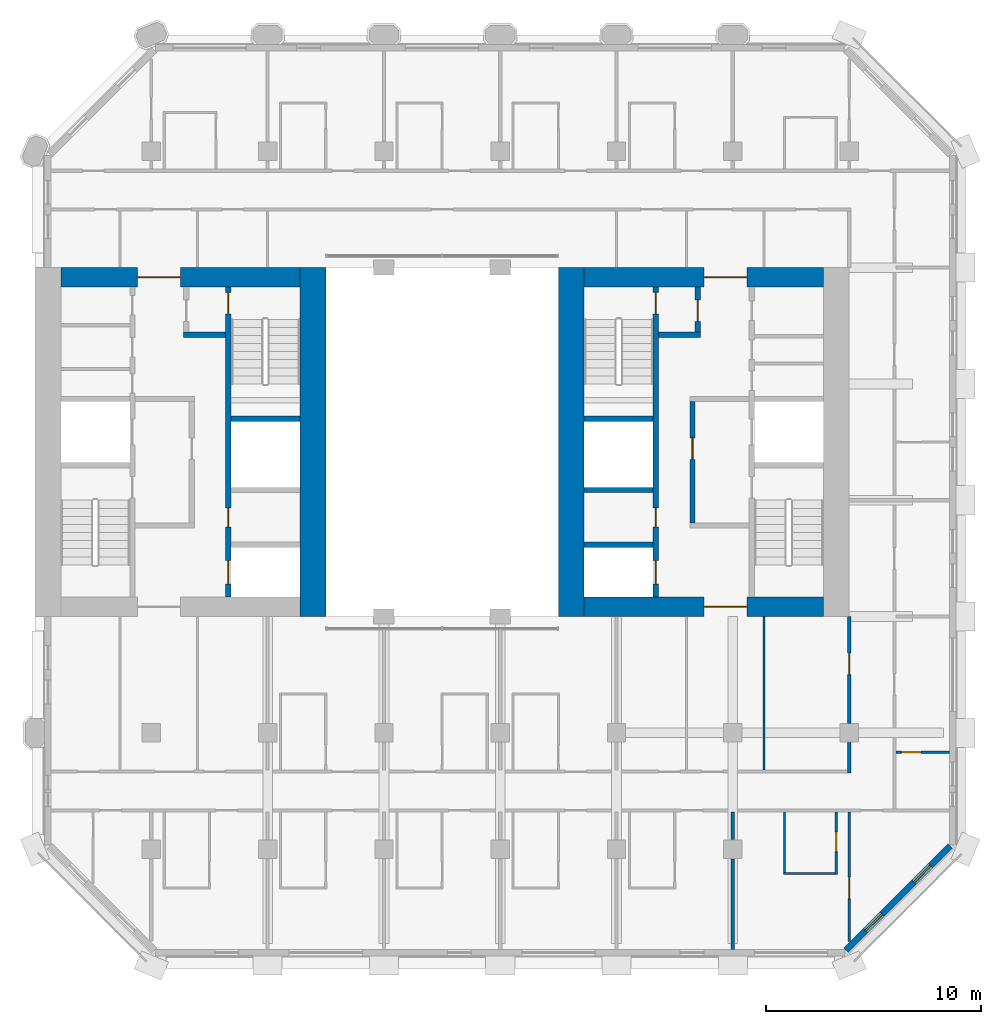
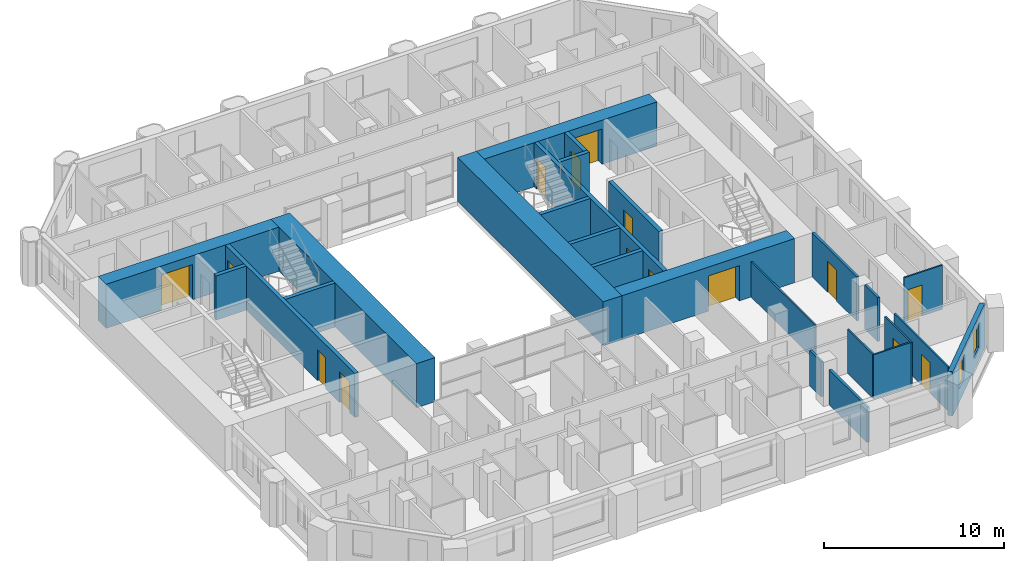
# One storey, part 10 of 16: 26 walls, 15 doors, 2 windows, 17 openings.
"""IFC4 building model written with IfcOpenShell, lengths in metres."""

from ifc_helpers import new_model, si_unit, direction, frame, frame_2d, origin, place, context, subcontext, project, spatial, rectangle, extrude, material, layer, layer_set, type_object, element, fill, save


model = new_model("IFC4")

# Units and contexts
model_context = context("Model", 3, precision=1e-05, world=origin(), true_north=direction((0.0, 1.0)))
body_context = subcontext(model_context, "Body", "Model", "MODEL_VIEW")
ifc_project = project(units=[si_unit("LENGTHUNIT", "METRE"), si_unit("AREAUNIT", "SQUARE_METRE"), si_unit("VOLUMEUNIT", "CUBIC_METRE"), si_unit("PLANEANGLEUNIT", "RADIAN"), si_unit("MASSUNIT", "GRAM", prefix="KILO")], contexts=[model_context])

# Site, building, storey
site_placement = place(None, origin())
site = spatial("IfcSite", under=ifc_project, at=site_placement, CompositionType="ELEMENT")
building_placement = place(site_placement, origin())
building = spatial("IfcBuilding", under=site, at=building_placement, Name="Tabaq Tower and Sports Hall", CompositionType="ELEMENT")
storey_placement = place(building_placement, frame((0.0, 0.0, 156.10009765625)))
storey = spatial("IfcBuildingStorey", under=building, at=storey_placement, Name="L36", CompositionType="ELEMENT", Elevation=156.10009765625)

# Walls
ifc_material_1 = material(Name="Concrete C50/60", Category="concrete")
ifc_layer_1 = layer(ifc_material_1, 1.199951171875)
ifc_layer_set_1 = layer_set([ifc_layer_1], Name="Core wall 1200 Concrete C50/60")
wall_type_1 = type_object("IfcWallType", Name="Core wall 1200 Concrete C50/60", PredefinedType="SOLIDWALL", material=ifc_layer_set_1)
for number, where, z_axis, x_axis, name in (
    (1, (18.300048828125, 32.39990234375, 0.0), (0.0, 0.0, 1.0), (0.0, -1.0, 0.0), "Core wall W L36"),
    (2, (30.300048828125, 16.199951171875, 0.0), (0.0, 0.0, 1.0), (0.0, 1.0, 0.0), "Core wall E L36"),
):
    element("IfcWall", number, at=place(storey_placement, frame(where, z_axis=z_axis, x_axis=x_axis)), inside=storey, type_object=wall_type_1, Name=name, PredefinedType="SOLIDWALL", context=body_context, shape_type="SweptSolid", body=[
        extrude(rectangle(XDim=16.199951171875, YDim=1.199951171875, at=frame_2d((8.10009765625, 0.0))), origin(), (0.0, 0.0, 1.0), 3.0),
    ])

# Wall, opening, door
ifc_material_2 = material(Name="Concrete C50/60", Category="concrete")
ifc_layer_2 = layer(ifc_material_2, 0.89990234375)
ifc_layer_set_2 = layer_set([ifc_layer_2], Name="Core wall 900 Concrete C50/60")
wall_type_2 = type_object("IfcWallType", Name="Core wall 900 Concrete C50/60", PredefinedType="SOLIDWALL", material=ifc_layer_set_2)
wall_1_placement = place(storey_placement, frame((6.60009765625, 31.949951171875, 0.0), z_axis=(0.0, 0.0, 1.0), x_axis=(1.0, 0.0, 0.0)))
wall_1 = element("IfcWall", 3, at=wall_1_placement, inside=storey, type_object=wall_type_2, Name="Core wall W L36", PredefinedType="SOLIDWALL", context=body_context, shape_type="SweptSolid", body=[
    extrude(rectangle(XDim=11.099853515625, YDim=0.89990234375, at=frame_2d((5.5498046875, 0.0))), origin(), (0.0, 0.0, 1.0), 3.0),
])
opening_1_placement = place(wall_1_placement, frame((3.550048828125, 0.0, 0.0)))
opening_1 = element("IfcOpeningElement", 4, at=opening_1_placement, cuts=wall_1, Name="Opening PD-WL36-02", PredefinedType="OPENING", context=body_context, shape_type="SweptSolid", body=[
    extrude(rectangle(XDim=2.0, YDim=2.39990234375, at=frame_2d((1.0, 1.199951171875))), frame((0.0, 0.449951171875, 0.0), z_axis=(0.0, -1.0, 0.0), x_axis=(1.0, 0.0, 0.0)), (0.0, 0.0, 1.0), 0.89990234375),
])
ifc_material_3 = material(Name="Steel fire door", Category="steel")
door_type_1 = type_object("IfcDoorType", Name="Core entrance door 2000", OperationType="DOUBLE_DOOR_SINGLE_SWING", PredefinedType="DOOR", material=ifc_material_3)
door_1_placement = place(opening_1_placement, origin())
door_1 = element("IfcDoor", 5, at=door_1_placement, inside=storey, type_object=door_type_1, Name="Core entrance north W L36", OperationType="DOUBLE_DOOR_SINGLE_SWING", OverallHeight=2.39990234375, OverallWidth=2.0, PredefinedType="DOOR", context=body_context, shape_type="SweptSolid", body=[
    extrude(rectangle(XDim=2.0, YDim=2.39990234375, at=frame_2d((1.0, 1.199951171875))), frame((0.0, 0.02490234375, 0.0), z_axis=(0.0, -1.0, 0.0), x_axis=(1.0, 0.0, 0.0)), (0.0, 0.0, 1.0), 0.050048828125),
])
fill(opening_1, door_1)

wall_2_placement = place(storey_placement, frame((42.0, 16.64990234375, 0.0), z_axis=(0.0, 0.0, 1.0), x_axis=(-1.0, 0.0, 0.0)))
wall_2 = element("IfcWall", 6, at=wall_2_placement, inside=storey, type_object=wall_type_2, Name="Core wall E L36", PredefinedType="SOLIDWALL", context=body_context, shape_type="SweptSolid", body=[
    extrude(rectangle(XDim=11.10009765625, YDim=0.89990234375, at=frame_2d((5.550048828125, 0.0))), origin(), (0.0, 0.0, 1.0), 3.0),
])
opening_2_placement = place(wall_2_placement, frame((3.550048828125, 0.0, 0.0)))
opening_2 = element("IfcOpeningElement", 7, at=opening_2_placement, cuts=wall_2, Name="Opening PD-EL36-01", PredefinedType="OPENING", context=body_context, shape_type="SweptSolid", body=[
    extrude(rectangle(XDim=2.0, YDim=2.39990234375, at=frame_2d((1.0, 1.199951171875))), frame((0.0, 0.449951171875, 0.0), z_axis=(0.0, -1.0, 0.0), x_axis=(1.0, 0.0, 0.0)), (0.0, 0.0, 1.0), 0.89990234375),
])
door_2_placement = place(opening_2_placement, origin())
door_2 = element("IfcDoor", 8, at=door_2_placement, inside=storey, type_object=door_type_1, Name="Core entrance south E L36", OperationType="DOUBLE_DOOR_SINGLE_SWING", OverallHeight=2.39990234375, OverallWidth=2.0, PredefinedType="DOOR", context=body_context, shape_type="SweptSolid", body=[
    extrude(rectangle(XDim=2.0, YDim=2.39990234375, at=frame_2d((1.0, 1.199951171875))), frame((0.0, 0.02490234375, 0.0), z_axis=(0.0, -1.0, 0.0), x_axis=(1.0, 0.0, 0.0)), (0.0, 0.0, 1.0), 0.050048828125),
])
fill(opening_2, door_2)

wall_3_placement = place(storey_placement, frame((30.89990234375, 31.949951171875, 0.0), z_axis=(0.0, 0.0, 1.0), x_axis=(1.0, 0.0, 0.0)))
wall_3 = element("IfcWall", 9, at=wall_3_placement, inside=storey, type_object=wall_type_2, Name="Core wall E L36", PredefinedType="SOLIDWALL", context=body_context, shape_type="SweptSolid", body=[
    extrude(rectangle(XDim=11.10009765625, YDim=0.89990234375, at=frame_2d((5.550048828125, 0.0))), origin(), (0.0, 0.0, 1.0), 3.0),
])
opening_3_placement = place(wall_3_placement, frame((5.550048828125, 0.0, 0.0)))
opening_3 = element("IfcOpeningElement", 10, at=opening_3_placement, cuts=wall_3, Name="Opening PD-EL36-02", PredefinedType="OPENING", context=body_context, shape_type="SweptSolid", body=[
    extrude(rectangle(XDim=2.0, YDim=2.39990234375, at=frame_2d((1.0, 1.199951171875))), frame((0.0, 0.449951171875, 0.0), z_axis=(0.0, -1.0, 0.0), x_axis=(1.0, 0.0, 0.0)), (0.0, 0.0, 1.0), 0.89990234375),
])
door_3_placement = place(opening_3_placement, origin())
door_3 = element("IfcDoor", 11, at=door_3_placement, inside=storey, type_object=door_type_1, Name="Core entrance north E L36", OperationType="DOUBLE_DOOR_SINGLE_SWING", OverallHeight=2.39990234375, OverallWidth=2.0, PredefinedType="DOOR", context=body_context, shape_type="SweptSolid", body=[
    extrude(rectangle(XDim=2.0, YDim=2.39990234375, at=frame_2d((1.0, 1.199951171875))), frame((0.0, 0.02490234375, 0.0), z_axis=(0.0, -1.0, 0.0), x_axis=(1.0, 0.0, 0.0)), (0.0, 0.0, 1.0), 0.050048828125),
])
fill(opening_3, door_3)

ifc_material_4 = material(Name="Gypsum board on steel studs", Category="steel")
ifc_layer_3 = layer(ifc_material_4, 0.10009765625)
ifc_layer_set_3 = layer_set([ifc_layer_3], Name="Partition 100 Gypsum board")
wall_type_3 = type_object("IfcWallType", Name="Partition 100 Gypsum board", PredefinedType="PARTITIONING", material=ifc_layer_set_3)
wall_4_placement = place(storey_placement, frame((45.375, 9.89990234375, 0.0), z_axis=(0.0, 0.0, 1.0), x_axis=(1.0, 0.0, 0.0)))
wall_4 = element("IfcWall", 12, at=wall_4_placement, inside=storey, type_object=wall_type_3, Name="Partition wall L36", PredefinedType="PARTITIONING", context=body_context, shape_type="SweptSolid", body=[
    extrude(rectangle(XDim=2.47412109375, YDim=0.10009765625, at=frame_2d((1.237060546875, 0.0))), origin(), (0.0, 0.0, 1.0), 3.0),
])
opening_4_placement = place(wall_4_placement, frame((0.25, 0.0, 0.0)))
opening_4 = element("IfcOpeningElement", 13, at=opening_4_placement, cuts=wall_4, Name="Opening L36-017", PredefinedType="OPENING", context=body_context, shape_type="SweptSolid", body=[
    extrude(rectangle(XDim=0.89990234375, YDim=2.10009765625, at=frame_2d((0.449951171875, 1.050048828125))), frame((0.0, 0.050048828125, 0.0), z_axis=(0.0, -1.0, 0.0), x_axis=(1.0, 0.0, 0.0)), (0.0, 0.0, 1.0), 0.10009765625),
])
ifc_material_5 = material(Name="Timber leaf in steel frame", Category="steel")
door_type_2 = type_object("IfcDoorType", Name="Internal door 900 left hand", OperationType="SINGLE_SWING_LEFT", PredefinedType="DOOR", material=ifc_material_5)
door_4_placement = place(opening_4_placement, origin())
door_4 = element("IfcDoor", 14, at=door_4_placement, inside=storey, type_object=door_type_2, Name="Internal door L36-017", OperationType="SINGLE_SWING_LEFT", OverallHeight=2.10009765625, OverallWidth=0.89990234375, PredefinedType="DOOR", context=body_context, shape_type="SweptSolid", body=[
    extrude(rectangle(XDim=0.89990234375, YDim=2.10009765625, at=frame_2d((0.449951171875, 1.050048828125))), frame((0.0, 0.02490234375, 0.0), z_axis=(0.0, -1.0, 0.0), x_axis=(1.0, 0.0, 0.0)), (0.0, 0.0, 1.0), 0.050048828125),
])
fill(opening_4, door_4)

wall_5_placement = place(storey_placement, frame((43.199951171875, 1.112060546875, 0.0), z_axis=(0.0, 0.0, 1.0), x_axis=(0.0, 1.0, 0.0)))
wall_5 = element("IfcWall", 15, at=wall_5_placement, inside=storey, type_object=wall_type_3, Name="Partition wall L36", PredefinedType="PARTITIONING", context=body_context, shape_type="SweptSolid", body=[
    extrude(rectangle(XDim=6.012939453125, YDim=0.10009765625, at=frame_2d((3.00634765625, 0.0))), origin(), (0.0, 0.0, 1.0), 3.0),
])
opening_5_placement = place(wall_5_placement, frame((1.98779296875, 0.0, 0.0)))
opening_5 = element("IfcOpeningElement", 16, at=opening_5_placement, cuts=wall_5, Name="Opening L36-051", PredefinedType="OPENING", context=body_context, shape_type="SweptSolid", body=[
    extrude(rectangle(XDim=1.0, YDim=2.10009765625, at=frame_2d((0.5, 1.050048828125))), frame((0.0, 0.050048828125, 0.0), z_axis=(0.0, -1.0, 0.0), x_axis=(1.0, 0.0, 0.0)), (0.0, 0.0, 1.0), 0.10009765625),
])
ifc_material_6 = material(Name="Timber leaf in steel frame", Category="steel")
door_type_3 = type_object("IfcDoorType", Name="Internal door 1000 left hand", OperationType="SINGLE_SWING_LEFT", PredefinedType="DOOR", material=ifc_material_6)
door_5_placement = place(opening_5_placement, origin())
door_5 = element("IfcDoor", 17, at=door_5_placement, inside=storey, type_object=door_type_3, Name="Internal door L36-051", OperationType="SINGLE_SWING_LEFT", OverallHeight=2.10009765625, OverallWidth=1.0, PredefinedType="DOOR", context=body_context, shape_type="SweptSolid", body=[
    extrude(rectangle(XDim=1.0, YDim=2.10009765625, at=frame_2d((0.5, 1.050048828125))), frame((0.0, 0.02490234375, 0.0), z_axis=(0.0, -1.0, 0.0), x_axis=(1.0, 0.0, 0.0)), (0.0, 0.0, 1.0), 0.050048828125),
])
fill(opening_5, door_5)

wall_6_placement = place(storey_placement, frame((42.60009765625, 7.125, 0.0), z_axis=(0.0, 0.0, 1.0), x_axis=(0.0, -1.0, 0.0)))
wall_6 = element("IfcWall", 18, at=wall_6_placement, inside=storey, type_object=wall_type_3, Name="Partition wall L36", PredefinedType="PARTITIONING", context=body_context, shape_type="SweptSolid", body=[
    extrude(rectangle(XDim=2.89990234375, YDim=0.10009765625, at=frame_2d((1.449951171875, 0.0))), origin(), (0.0, 0.0, 1.0), 3.0),
])
opening_6_placement = place(wall_6_placement, frame((0.93701171875, 0.0, 0.0)))
opening_6 = element("IfcOpeningElement", 19, at=opening_6_placement, cuts=wall_6, Name="Opening L36-024", PredefinedType="OPENING", context=body_context, shape_type="SweptSolid", body=[
    extrude(rectangle(XDim=0.89990234375, YDim=2.10009765625, at=frame_2d((0.449951171875, 1.050048828125))), frame((0.0, 0.050048828125, 0.0), z_axis=(0.0, -1.0, 0.0), x_axis=(1.0, 0.0, 0.0)), (0.0, 0.0, 1.0), 0.10009765625),
])
door_6_placement = place(opening_6_placement, origin())
door_6 = element("IfcDoor", 20, at=door_6_placement, inside=storey, type_object=door_type_2, Name="Internal door L36-024", OperationType="SINGLE_SWING_LEFT", OverallHeight=2.10009765625, OverallWidth=0.89990234375, PredefinedType="DOOR", context=body_context, shape_type="SweptSolid", body=[
    extrude(rectangle(XDim=0.89990234375, YDim=2.10009765625, at=frame_2d((0.449951171875, 1.050048828125))), frame((0.0, 0.02490234375, 0.0), z_axis=(0.0, -1.0, 0.0), x_axis=(1.0, 0.0, 0.0)), (0.0, 0.0, 1.0), 0.050048828125),
])
fill(opening_6, door_6)

# Walls
wall_7_placement = place(storey_placement, frame((42.550048828125, 4.27490234375, 0.0), z_axis=(0.0, 0.0, 1.0), x_axis=(-1.0, 0.0, 0.0)))
element("IfcWall", 21, at=wall_7_placement, inside=storey, type_object=wall_type_3, Name="Partition wall L36", PredefinedType="PARTITIONING", context=body_context, shape_type="SweptSolid", body=[
    extrude(rectangle(XDim=2.400146484375, YDim=0.10009765625, at=frame_2d((1.2001953125, 0.0))), origin(), (0.0, 0.0, 1.0), 3.0),
])
wall_8_placement = place(storey_placement, frame((40.199951171875, 4.324951171875, 0.0), z_axis=(0.0, 0.0, 1.0), x_axis=(0.0, 1.0, 0.0)))
element("IfcWall", 22, at=wall_8_placement, inside=storey, type_object=wall_type_3, Name="Partition wall L36", PredefinedType="PARTITIONING", context=body_context, shape_type="SweptSolid", body=[
    extrude(rectangle(XDim=2.800048828125, YDim=0.10009765625, at=frame_2d((1.39990234375, 0.0))), origin(), (0.0, 0.0, 1.0), 3.0),
])
wall_9_placement = place(storey_placement, frame((39.25, 9.074951171875, 0.0), z_axis=(0.0, 0.0, 1.0), x_axis=(0.0, 1.0, 0.0)))
element("IfcWall", 23, at=wall_9_placement, inside=storey, type_object=wall_type_3, Name="Partition wall L36", PredefinedType="PARTITIONING", context=body_context, shape_type="SweptSolid", body=[
    extrude(rectangle(XDim=7.125, YDim=0.10009765625, at=frame_2d((3.5625, 0.0))), origin(), (0.0, 0.0, 1.0), 2.39990234375),
])
ifc_material_7 = material(Name="Blockwork", Category="masonry")
ifc_layer_4 = layer(ifc_material_7, 0.14990234375)
ifc_layer_set_4 = layer_set([ifc_layer_4], Name="Separating wall 150 Blockwork")
wall_type_4 = type_object("IfcWallType", Name="Separating wall 150 Blockwork", PredefinedType="PARTITIONING", material=ifc_layer_set_4)
wall_10_placement = place(storey_placement, frame((37.800048828125, 0.7509765625, 0.0), z_axis=(0.0, 0.0, 1.0), x_axis=(0.0, 1.0, 0.0)))
element("IfcWall", 24, at=wall_10_placement, inside=storey, type_object=wall_type_4, Name="Separating wall L36", PredefinedType="PARTITIONING", context=body_context, shape_type="SweptSolid", body=[
    extrude(rectangle(XDim=4.2041015625, YDim=0.14990234375, at=frame_2d((2.10205078125, 0.0))), origin(), (0.0, 0.0, 1.0), 2.39990234375),
])
wall_11_placement = place(storey_placement, frame((37.800048828125, 5.844970703125, 0.0), z_axis=(0.0, 0.0, 1.0), x_axis=(0.0, 1.0, 0.0)))
element("IfcWall", 25, at=wall_11_placement, inside=storey, type_object=wall_type_4, Name="Separating wall L36", PredefinedType="PARTITIONING", context=body_context, shape_type="SweptSolid", body=[
    extrude(rectangle(XDim=1.280029296875, YDim=0.14990234375, at=frame_2d((0.64013671875, 0.0))), origin(), (0.0, 0.0, 1.0), 2.39990234375),
])

# Wall, opening, door
wall_12_placement = place(storey_placement, frame((43.199951171875, 16.199951171875, 0.0), z_axis=(0.0, 0.0, 1.0), x_axis=(0.0, -1.0, 0.0)))
wall_12 = element("IfcWall", 26, at=wall_12_placement, inside=storey, type_object=wall_type_4, Name="Separating wall L36", PredefinedType="PARTITIONING", context=body_context, shape_type="SweptSolid", body=[
    extrude(rectangle(XDim=4.954833984375, YDim=0.14990234375, at=frame_2d((2.4775390625, 0.0))), origin(), (0.0, 0.0, 1.0), 3.0),
])
opening_7_placement = place(wall_12_placement, frame((1.699951171875, 0.0, 0.0)))
opening_7 = element("IfcOpeningElement", 27, at=opening_7_placement, cuts=wall_12, Name="Opening L36-028", PredefinedType="OPENING", context=body_context, shape_type="SweptSolid", body=[
    extrude(rectangle(XDim=1.0, YDim=2.10009765625, at=frame_2d((0.5, 1.050048828125))), frame((0.0, 0.074951171875, 0.0), z_axis=(0.0, -1.0, 0.0), x_axis=(1.0, 0.0, 0.0)), (0.0, 0.0, 1.0), 0.14990234375),
])
door_7_placement = place(opening_7_placement, origin())
door_7 = element("IfcDoor", 28, at=door_7_placement, inside=storey, type_object=door_type_3, Name="Internal door L36-028", OperationType="SINGLE_SWING_LEFT", OverallHeight=2.10009765625, OverallWidth=1.0, PredefinedType="DOOR", context=body_context, shape_type="SweptSolid", body=[
    extrude(rectangle(XDim=1.0, YDim=2.10009765625, at=frame_2d((0.5, 1.050048828125))), frame((0.0, 0.02490234375, 0.0), z_axis=(0.0, -1.0, 0.0), x_axis=(1.0, 0.0, 0.0)), (0.0, 0.0, 1.0), 0.050048828125),
])
fill(opening_7, door_7)

# Wall
wall_13_placement = place(storey_placement, frame((43.199951171875, 10.35498046875, 0.0), z_axis=(0.0, 0.0, 1.0), x_axis=(0.0, -1.0, 0.0)))
element("IfcWall", 29, at=wall_13_placement, inside=storey, type_object=wall_type_4, Name="Separating wall L36", PredefinedType="PARTITIONING", context=body_context, shape_type="SweptSolid", body=[
    extrude(rectangle(XDim=1.429931640625, YDim=0.14990234375, at=frame_2d((0.71484375, 0.0))), origin(), (0.0, 0.0, 1.0), 3.0),
])

# Wall, openings, doors
ifc_material_8 = material(Name="Concrete C40/50", Category="concrete")
ifc_layer_5 = layer(ifc_material_8, 0.25)
ifc_layer_set_5 = layer_set([ifc_layer_5], Name="Shaft and stair wall 250 Concrete C40/50")
wall_type_5 = type_object("IfcWallType", Name="Shaft and stair wall 250 Concrete C40/50", PredefinedType="SOLIDWALL", material=ifc_layer_set_5)
wall_14_placement = place(storey_placement, frame((14.375, 17.10009765625, 0.0), z_axis=(0.0, 0.0, 1.0), x_axis=(0.0, 1.0, 0.0)))
wall_14 = element("IfcWall", 30, at=wall_14_placement, inside=storey, type_object=wall_type_5, Name="Shaft wall W L36", PredefinedType="SOLIDWALL", context=body_context, shape_type="SweptSolid", body=[
    extrude(rectangle(XDim=14.39990234375, YDim=0.25, at=frame_2d((7.199951171875, 0.0))), origin(), (0.0, 0.0, 1.0), 3.0),
])
opening_8_placement = place(wall_14_placement, frame((13.14990234375, 0.0, 0.0)))
opening_8 = element("IfcOpeningElement", 31, at=opening_8_placement, cuts=wall_14, Name="Opening SD-WL36-05", PredefinedType="OPENING", context=body_context, shape_type="SweptSolid", body=[
    extrude(rectangle(XDim=1.0, YDim=2.10009765625, at=frame_2d((0.5, 1.050048828125))), frame((0.0, 0.125, 0.0), z_axis=(0.0, -1.0, 0.0), x_axis=(1.0, 0.0, 0.0)), (0.0, 0.0, 1.0), 0.25),
])
opening_9_placement = place(wall_14_placement, frame((0.60009765625, 0.0, 0.0)))
opening_9 = element("IfcOpeningElement", 32, at=opening_9_placement, cuts=wall_14, Name="Opening LD-MR1-L36", PredefinedType="OPENING", context=body_context, shape_type="SweptSolid", body=[
    extrude(rectangle(XDim=1.10009765625, YDim=2.10009765625, at=frame_2d((0.550048828125, 1.050048828125))), frame((0.0, 0.125, 0.0), z_axis=(0.0, -1.0, 0.0), x_axis=(1.0, 0.0, 0.0)), (0.0, 0.0, 1.0), 0.25),
])
opening_10_placement = place(wall_14_placement, frame((3.25, 0.0, 0.0)))
opening_10 = element("IfcOpeningElement", 33, at=opening_10_placement, cuts=wall_14, Name="Opening RD-WL36-12", PredefinedType="OPENING", context=body_context, shape_type="SweptSolid", body=[
    extrude(rectangle(XDim=0.89990234375, YDim=2.10009765625, at=frame_2d((0.449951171875, 1.050048828125))), frame((0.0, 0.125, 0.0), z_axis=(0.0, -1.0, 0.0), x_axis=(1.0, 0.0, 0.0)), (0.0, 0.0, 1.0), 0.25),
])
ifc_material_9 = material(Name="Steel fire door", Category="steel")
door_type_4 = type_object("IfcDoorType", Name="Core room door 900", OperationType="SINGLE_SWING_LEFT", PredefinedType="DOOR", material=ifc_material_9)
door_8_placement = place(opening_10_placement, origin())
door_8 = element("IfcDoor", 34, at=door_8_placement, inside=storey, type_object=door_type_4, Name="Door Cleaner's Store W L36", OperationType="SINGLE_SWING_LEFT", OverallHeight=2.10009765625, OverallWidth=0.89990234375, PredefinedType="DOOR", context=body_context, shape_type="SweptSolid", body=[
    extrude(rectangle(XDim=0.89990234375, YDim=2.10009765625, at=frame_2d((0.449951171875, 1.050048828125))), frame((0.0, 0.02490234375, 0.0), z_axis=(0.0, -1.0, 0.0), x_axis=(1.0, 0.0, 0.0)), (0.0, 0.0, 1.0), 0.050048828125),
])
fill(opening_10, door_8)
ifc_material_10 = material(Name="Stainless steel", Category="steel")
door_type_5 = type_object("IfcDoorType", Name="Lift landing door 1100", OperationType="DOUBLE_DOOR_SLIDING", PredefinedType="DOOR", material=ifc_material_10)
door_9_placement = place(opening_9_placement, origin())
door_9 = element("IfcDoor", 35, at=door_9_placement, inside=storey, type_object=door_type_5, Name="Lift landing door MR1 W L36", OperationType="DOUBLE_DOOR_SLIDING", OverallHeight=2.10009765625, OverallWidth=1.10009765625, PredefinedType="DOOR", context=body_context, shape_type="SweptSolid", body=[
    extrude(rectangle(XDim=1.10009765625, YDim=2.10009765625, at=frame_2d((0.550048828125, 1.050048828125))), frame((0.0, 0.02490234375, 0.0), z_axis=(0.0, -1.0, 0.0), x_axis=(1.0, 0.0, 0.0)), (0.0, 0.0, 1.0), 0.050048828125),
])
fill(opening_9, door_9)
ifc_material_11 = material(Name="Steel fire door", Category="steel")
door_type_6 = type_object("IfcDoorType", Name="Stair door 1000", OperationType="SINGLE_SWING_LEFT", PredefinedType="DOOR", material=ifc_material_11)
door_10_placement = place(opening_8_placement, origin())
door_10 = element("IfcDoor", 36, at=door_10_placement, inside=storey, type_object=door_type_6, Name="Stair door ST2 W L36", OperationType="SINGLE_SWING_LEFT", OverallHeight=2.10009765625, OverallWidth=1.0, PredefinedType="DOOR", context=body_context, shape_type="SweptSolid", body=[
    extrude(rectangle(XDim=1.0, YDim=2.10009765625, at=frame_2d((0.5, 1.050048828125))), frame((0.0, 0.02490234375, 0.0), z_axis=(0.0, -1.0, 0.0), x_axis=(1.0, 0.0, 0.0)), (0.0, 0.0, 1.0), 0.050048828125),
])
fill(opening_8, door_10)

# Walls
wall_15_placement = place(storey_placement, frame((14.5, 25.375, 0.0), z_axis=(0.0, 0.0, 1.0), x_axis=(1.0, 0.0, 0.0)))
element("IfcWall", 37, at=wall_15_placement, inside=storey, type_object=wall_type_5, Name="Stair enclosure wall W L36", PredefinedType="SOLIDWALL", context=body_context, shape_type="SweptSolid", body=[
    extrude(rectangle(XDim=3.199951171875, YDim=0.25, at=frame_2d((1.60009765625, 0.0))), origin(), (0.0, 0.0, 1.0), 3.0),
])
wall_16_placement = place(storey_placement, frame((12.300048828125, 29.27490234375, 0.0), z_axis=(0.0, 0.0, 1.0), x_axis=(1.0, 0.0, 0.0)))
element("IfcWall", 38, at=wall_16_placement, inside=storey, type_object=wall_type_5, Name="Fire-fighting lobby wall W L36", PredefinedType="SOLIDWALL", context=body_context, shape_type="SweptSolid", body=[
    extrude(rectangle(XDim=1.949951171875, YDim=0.25, at=frame_2d((0.97509765625, 0.0))), origin(), (0.0, 0.0, 1.0), 3.0),
])

# Wall, openings, doors
wall_17_placement = place(storey_placement, frame((34.22509765625, 17.10009765625, 0.0), z_axis=(0.0, 0.0, 1.0), x_axis=(0.0, 1.0, 0.0)))
wall_17 = element("IfcWall", 39, at=wall_17_placement, inside=storey, type_object=wall_type_5, Name="Shaft wall E L36", PredefinedType="SOLIDWALL", context=body_context, shape_type="SweptSolid", body=[
    extrude(rectangle(XDim=14.39990234375, YDim=0.25, at=frame_2d((7.199951171875, 0.0))), origin(), (0.0, 0.0, 1.0), 3.0),
])
opening_11_placement = place(wall_17_placement, frame((13.14990234375, 0.0, 0.0)))
opening_11 = element("IfcOpeningElement", 40, at=opening_11_placement, cuts=wall_17, Name="Opening SD-EL36-05", PredefinedType="OPENING", context=body_context, shape_type="SweptSolid", body=[
    extrude(rectangle(XDim=1.0, YDim=2.10009765625, at=frame_2d((0.5, 1.050048828125))), frame((0.0, 0.125, 0.0), z_axis=(0.0, -1.0, 0.0), x_axis=(1.0, 0.0, 0.0)), (0.0, 0.0, 1.0), 0.25),
])
opening_12_placement = place(wall_17_placement, frame((0.60009765625, 0.0, 0.0)))
opening_12 = element("IfcOpeningElement", 41, at=opening_12_placement, cuts=wall_17, Name="Opening LD-MR2-L36", PredefinedType="OPENING", context=body_context, shape_type="SweptSolid", body=[
    extrude(rectangle(XDim=1.10009765625, YDim=2.10009765625, at=frame_2d((0.550048828125, 1.050048828125))), frame((0.0, 0.125, 0.0), z_axis=(0.0, -1.0, 0.0), x_axis=(1.0, 0.0, 0.0)), (0.0, 0.0, 1.0), 0.25),
])
opening_13_placement = place(wall_17_placement, frame((3.25, 0.0, 0.0)))
opening_13 = element("IfcOpeningElement", 42, at=opening_13_placement, cuts=wall_17, Name="Opening RD-EL36-12", PredefinedType="OPENING", context=body_context, shape_type="SweptSolid", body=[
    extrude(rectangle(XDim=0.89990234375, YDim=2.10009765625, at=frame_2d((0.449951171875, 1.050048828125))), frame((0.0, 0.125, 0.0), z_axis=(0.0, -1.0, 0.0), x_axis=(1.0, 0.0, 0.0)), (0.0, 0.0, 1.0), 0.25),
])
door_11_placement = place(opening_13_placement, origin())
door_11 = element("IfcDoor", 43, at=door_11_placement, inside=storey, type_object=door_type_4, Name="Door Cleaner's Store E L36", OperationType="SINGLE_SWING_LEFT", OverallHeight=2.10009765625, OverallWidth=0.89990234375, PredefinedType="DOOR", context=body_context, shape_type="SweptSolid", body=[
    extrude(rectangle(XDim=0.89990234375, YDim=2.10009765625, at=frame_2d((0.449951171875, 1.050048828125))), frame((0.0, 0.02490234375, 0.0), z_axis=(0.0, -1.0, 0.0), x_axis=(1.0, 0.0, 0.0)), (0.0, 0.0, 1.0), 0.050048828125),
])
fill(opening_13, door_11)
door_12_placement = place(opening_12_placement, origin())
door_12 = element("IfcDoor", 44, at=door_12_placement, inside=storey, type_object=door_type_5, Name="Lift landing door MR2 E L36", OperationType="DOUBLE_DOOR_SLIDING", OverallHeight=2.10009765625, OverallWidth=1.10009765625, PredefinedType="DOOR", context=body_context, shape_type="SweptSolid", body=[
    extrude(rectangle(XDim=1.10009765625, YDim=2.10009765625, at=frame_2d((0.550048828125, 1.050048828125))), frame((0.0, 0.02490234375, 0.0), z_axis=(0.0, -1.0, 0.0), x_axis=(1.0, 0.0, 0.0)), (0.0, 0.0, 1.0), 0.050048828125),
])
fill(opening_12, door_12)
door_13_placement = place(opening_11_placement, origin())
door_13 = element("IfcDoor", 45, at=door_13_placement, inside=storey, type_object=door_type_6, Name="Stair door ST4 E L36", OperationType="SINGLE_SWING_LEFT", OverallHeight=2.10009765625, OverallWidth=1.0, PredefinedType="DOOR", context=body_context, shape_type="SweptSolid", body=[
    extrude(rectangle(XDim=1.0, YDim=2.10009765625, at=frame_2d((0.5, 1.050048828125))), frame((0.0, 0.02490234375, 0.0), z_axis=(0.0, -1.0, 0.0), x_axis=(1.0, 0.0, 0.0)), (0.0, 0.0, 1.0), 0.050048828125),
])
fill(opening_11, door_13)

# Walls
for number, where, z_axis, x_axis, name in (
    (46, (30.89990234375, 25.375, 0.0), (0.0, 0.0, 1.0), (1.0, 0.0, 0.0), "Stair enclosure wall E L36"),
    (47, (30.89990234375, 22.074951171875, 0.0), (0.0, 0.0, 1.0), (1.0, 0.0, 0.0), "Shaft wall E L36"),
):
    element("IfcWall", number, at=place(storey_placement, frame(where, z_axis=z_axis, x_axis=x_axis)), inside=storey, type_object=wall_type_5, Name=name, PredefinedType="SOLIDWALL", context=body_context, shape_type="SweptSolid", body=[
        extrude(rectangle(XDim=3.2001953125, YDim=0.25, at=frame_2d((1.60009765625, 0.0))), origin(), (0.0, 0.0, 1.0), 3.0),
    ])

# Wall, opening, door
wall_18_placement = place(storey_placement, frame((36.175048828125, 29.39990234375, 0.0), z_axis=(0.0, 0.0, 1.0), x_axis=(0.0, 1.0, 0.0)))
wall_18 = element("IfcWall", 48, at=wall_18_placement, inside=storey, type_object=wall_type_5, Name="Fire-fighting lobby wall E L36", PredefinedType="SOLIDWALL", context=body_context, shape_type="SweptSolid", body=[
    extrude(rectangle(XDim=2.10009765625, YDim=0.25, at=frame_2d((1.050048828125, 0.0))), origin(), (0.0, 0.0, 1.0), 3.0),
])
opening_14_placement = place(wall_18_placement, frame((0.5, 0.0, 0.0)))
opening_14 = element("IfcOpeningElement", 49, at=opening_14_placement, cuts=wall_18, Name="Opening FD-EL36-06", PredefinedType="OPENING", context=body_context, shape_type="SweptSolid", body=[
    extrude(rectangle(XDim=1.0, YDim=2.10009765625, at=frame_2d((0.5, 1.050048828125))), frame((0.0, 0.125, 0.0), z_axis=(0.0, -1.0, 0.0), x_axis=(1.0, 0.0, 0.0)), (0.0, 0.0, 1.0), 0.25),
])
ifc_material_12 = material(Name="Steel fire door", Category="steel")
door_type_7 = type_object("IfcDoorType", Name="Fire-fighting lobby door 1000", OperationType="SINGLE_SWING_LEFT", PredefinedType="DOOR", material=ifc_material_12)
door_14_placement = place(opening_14_placement, origin())
door_14 = element("IfcDoor", 50, at=door_14_placement, inside=storey, type_object=door_type_7, Name="Stair lobby door E L36", OperationType="SINGLE_SWING_LEFT", OverallHeight=2.10009765625, OverallWidth=1.0, PredefinedType="DOOR", context=body_context, shape_type="SweptSolid", body=[
    extrude(rectangle(XDim=1.0, YDim=2.10009765625, at=frame_2d((0.5, 1.050048828125))), frame((0.0, 0.02490234375, 0.0), z_axis=(0.0, -1.0, 0.0), x_axis=(1.0, 0.0, 0.0)), (0.0, 0.0, 1.0), 0.050048828125),
])
fill(opening_14, door_14)

# Wall
wall_19_placement = place(storey_placement, frame((34.35009765625, 29.27490234375, 0.0), z_axis=(0.0, 0.0, 1.0), x_axis=(1.0, 0.0, 0.0)))
element("IfcWall", 51, at=wall_19_placement, inside=storey, type_object=wall_type_5, Name="Fire-fighting lobby wall E L36", PredefinedType="SOLIDWALL", context=body_context, shape_type="SweptSolid", body=[
    extrude(rectangle(XDim=1.949951171875, YDim=0.25, at=frame_2d((0.97509765625, 0.0))), origin(), (0.0, 0.0, 1.0), 3.0),
])

# Wall, opening, door
wall_20_placement = place(storey_placement, frame((35.925048828125, 20.550048828125, 0.0), z_axis=(0.0, 0.0, 1.0), x_axis=(0.0, 1.0, 0.0)))
wall_20 = element("IfcWall", 52, at=wall_20_placement, inside=storey, type_object=wall_type_5, Name="Fire-fighting lobby wall E L36", PredefinedType="SOLIDWALL", context=body_context, shape_type="SweptSolid", body=[
    extrude(rectangle(XDim=5.625, YDim=0.25, at=frame_2d((2.8125, 0.0))), origin(), (0.0, 0.0, 1.0), 3.0),
])
opening_15_placement = place(wall_20_placement, frame((2.949951171875, 0.0, 0.0)))
opening_15 = element("IfcOpeningElement", 53, at=opening_15_placement, cuts=wall_20, Name="Opening FD-EL36-04", PredefinedType="OPENING", context=body_context, shape_type="SweptSolid", body=[
    extrude(rectangle(XDim=1.0, YDim=2.10009765625, at=frame_2d((0.5, 1.050048828125))), frame((0.0, 0.125, 0.0), z_axis=(0.0, -1.0, 0.0), x_axis=(1.0, 0.0, 0.0)), (0.0, 0.0, 1.0), 0.25),
])
door_15_placement = place(opening_15_placement, origin())
door_15 = element("IfcDoor", 54, at=door_15_placement, inside=storey, type_object=door_type_7, Name="Fire-fighting lobby door E L36", OperationType="SINGLE_SWING_LEFT", OverallHeight=2.10009765625, OverallWidth=1.0, PredefinedType="DOOR", context=body_context, shape_type="SweptSolid", body=[
    extrude(rectangle(XDim=1.0, YDim=2.10009765625, at=frame_2d((0.5, 1.050048828125))), frame((0.0, 0.02490234375, 0.0), z_axis=(0.0, -1.0, 0.0), x_axis=(1.0, 0.0, 0.0)), (0.0, 0.0, 1.0), 0.050048828125),
])
fill(opening_15, door_15)

# Wall
wall_21_placement = place(storey_placement, frame((30.89990234375, 19.52490234375, 0.0), z_axis=(0.0, 0.0, 1.0), x_axis=(1.0, 0.0, 0.0)))
element("IfcWall", 55, at=wall_21_placement, inside=storey, type_object=wall_type_5, Name="Shaft wall E L36", PredefinedType="SOLIDWALL", context=body_context, shape_type="SweptSolid", body=[
    extrude(rectangle(XDim=3.2001953125, YDim=0.25, at=frame_2d((1.60009765625, 0.0))), origin(), (0.0, 0.0, 1.0), 3.0),
])

# Wall, openings, windows
ifc_material_13 = material(Name="White precast concrete C60/75", Category="concrete")
ifc_layer_6 = layer(ifc_material_13, 0.300048828125)
ifc_layer_set_6 = layer_set([ifc_layer_6], Name="White precast concrete C60/75 external wall 300")
wall_type_6 = type_object("IfcWallType", Name="White precast concrete C60/75 external wall 300", PredefinedType="SOLIDWALL", material=ifc_layer_set_6)
wall_22_placement = place(storey_placement, frame((43.050537109375, 0.698974609375, 0.0), z_axis=(0.0, 0.0, 1.0), x_axis=(0.707106781187, 0.707106781187, 0.0)))
wall_22 = element("IfcWall", 56, at=wall_22_placement, inside=storey, type_object=wall_type_6, Name="External Wall L36 SE", PredefinedType="SOLIDWALL", context=body_context, shape_type="SweptSolid", body=[
    extrude(rectangle(XDim=6.85986328125, YDim=0.300048828125, at=frame_2d((3.429931640625, 0.0))), origin(), (0.0, 0.0, 1.0), 3.0),
])
opening_16_placement = place(wall_22_placement, frame((1.27978515625, 0.0, 0.89990234375)))
opening_16 = element("IfcOpeningElement", 57, at=opening_16_placement, cuts=wall_22, Name="Opening W1B", PredefinedType="OPENING", context=body_context, shape_type="SweptSolid", body=[
    extrude(rectangle(XDim=1.10009765625, YDim=1.699951171875, at=frame_2d((0.550048828125, 0.85009765625))), frame((0.0, 0.16015625, 0.0), z_axis=(0.0, -1.0, 0.0), x_axis=(1.0, 0.0, 0.0)), (0.0, 0.0, 1.0), 0.320068359375),
])
opening_17_placement = place(wall_22_placement, frame((4.479736328125, 0.0, 0.89990234375)))
opening_17 = element("IfcOpeningElement", 58, at=opening_17_placement, cuts=wall_22, Name="Opening W1B", PredefinedType="OPENING", context=body_context, shape_type="SweptSolid", body=[
    extrude(rectangle(XDim=1.10009765625, YDim=1.699951171875, at=frame_2d((0.550048828125, 0.85009765625))), frame((0.0, 0.16015625, 0.0), z_axis=(0.0, -1.0, 0.0), x_axis=(1.0, 0.0, 0.0)), (0.0, 0.0, 1.0), 0.320068359375),
])
ifc_material_14 = material(Name="Aluminium framed clear glazing", Category="aluminium")
window_type = type_object("IfcWindowType", Name="Window W1B", PartitioningType="SINGLE_PANEL", PredefinedType="WINDOW", material=ifc_material_14)
window_1_placement = place(opening_16_placement, origin())
window_1 = element("IfcWindow", 59, at=window_1_placement, inside=storey, type_object=window_type, Name="Window W1B L36", OverallHeight=1.699951171875, OverallWidth=1.10009765625, PartitioningType="SINGLE_PANEL", PredefinedType="WINDOW", context=body_context, shape_type="SweptSolid", body=[
    extrude(rectangle(XDim=1.10009765625, YDim=1.699951171875, at=frame_2d((0.550048828125, 0.85009765625))), frame((0.0, 0.030029296875, 0.0), z_axis=(0.0, -1.0, 0.0), x_axis=(1.0, 0.0, 0.0)), (0.0, 0.0, 1.0), 0.06005859375),
])
fill(opening_16, window_1)
window_2_placement = place(opening_17_placement, origin())
window_2 = element("IfcWindow", 60, at=window_2_placement, inside=storey, type_object=window_type, Name="Window W1B L36", OverallHeight=1.699951171875, OverallWidth=1.10009765625, PartitioningType="SINGLE_PANEL", PredefinedType="WINDOW", context=body_context, shape_type="SweptSolid", body=[
    extrude(rectangle(XDim=1.10009765625, YDim=1.699951171875, at=frame_2d((0.550048828125, 0.85009765625))), frame((0.0, 0.030029296875, 0.0), z_axis=(0.0, -1.0, 0.0), x_axis=(1.0, 0.0, 0.0)), (0.0, 0.0, 1.0), 0.06005859375),
])
fill(opening_17, window_2)

save(model, "model.ifc")
